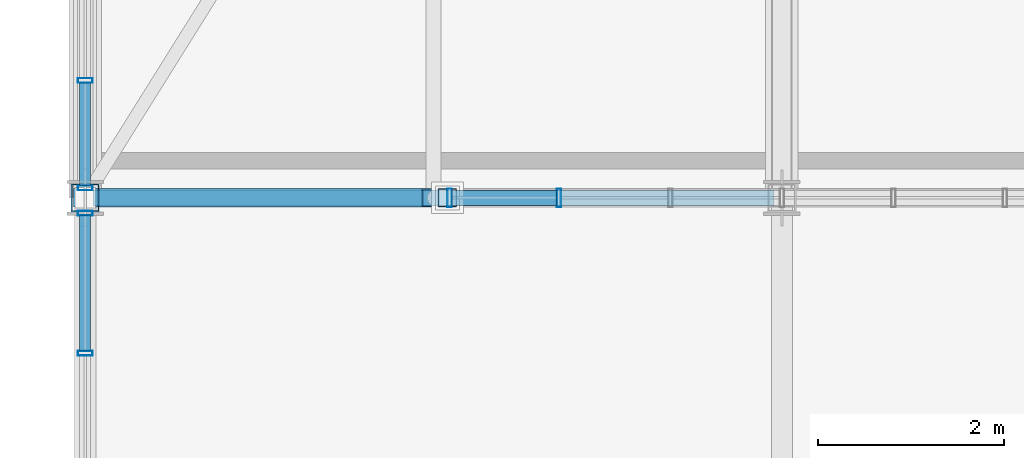
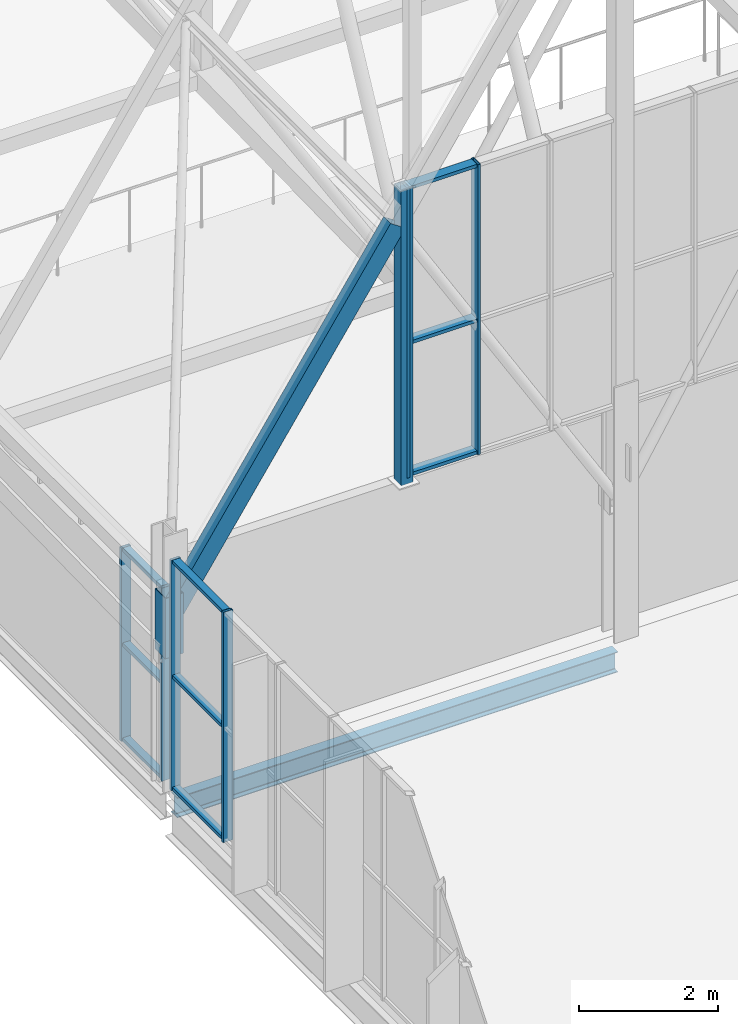
# One storey, part 80 of 324: 18 members, 1 beam, 3 elements without a shape of their own.
"""IFC4 building model written with IfcOpenShell, lengths in metres."""

from ifc_helpers import new_model, si_unit, direction, frame, origin, origin_2d, place, context, subcontext, project, spatial, hollow_rectangle, i_section, extrude, material, layer, layer_set, material_profile, profile_set, type_object, element, aggregate, save


model = new_model("IFC4")

# Units and contexts
model_context = context("Model", 3, precision=1e-05, world=origin(), true_north=direction((0.0, 1.0)))
body_context = subcontext(model_context, "Body", "Model", "MODEL_VIEW")
ifc_project = project(units=[si_unit("LENGTHUNIT", "METRE"), si_unit("AREAUNIT", "SQUARE_METRE"), si_unit("VOLUMEUNIT", "CUBIC_METRE"), si_unit("PLANEANGLEUNIT", "RADIAN"), si_unit("MASSUNIT", "GRAM", prefix="KILO")], contexts=[model_context])

# Site, building, storey
site_placement = place(None, origin())
site = spatial("IfcSite", under=ifc_project, at=site_placement, CompositionType="ELEMENT")
building_placement = place(site_placement, origin())
building = spatial("IfcBuilding", under=site, at=building_placement, Name="Solvenia Promenade Tram Depot", CompositionType="ELEMENT")
storey_placement = place(building_placement, frame((0.0, 0.0, 4.5)))
storey = spatial("IfcBuildingStorey", under=building, at=storey_placement, Name="L01", CompositionType="ELEMENT", Elevation=4.5)

# Curtain wall, members
ifc_material_1 = material(Name="Anodized aluminium AW-6063 T6", Category="aluminium")
ifc_layer_1 = layer(ifc_material_1, 0.159912109375, Name="Anodized aluminium AW-6063 T6", Category="aluminium")
ifc_layer_set_1 = layer_set([ifc_layer_1], Name="Anodized aluminium AW-6063 T6")
curtain_wall_type_1 = type_object("IfcCurtainWallType", Name="CW-Channel-1200", PredefinedType="NOTDEFINED", material=ifc_layer_set_1)
curtain_wall_1_placement = place(storey_placement, origin())
curtain_wall_1 = element("IfcCurtainWall", 1, at=curtain_wall_1_placement, inside=storey, type_object=curtain_wall_type_1, Name="Curtain Wall CW-V1W-01", PredefinedType="NOTDEFINED")
ifc_material_profile_1 = material_profile(ifc_material_1, hollow_rectangle(XDim=0.159912109375, YDim=0.052001953125, WallThickness=0.00390625, at=origin_2d()), Name="ALU-M1", Category="aluminium")
ifc_profile_set_1 = profile_set([ifc_material_profile_1], Name="Anodized aluminium AW-6063 T6")
member_type_1 = type_object("IfcMemberType", Name="CWM-Mullion-1", PredefinedType="MULLION", material=ifc_profile_set_1)
member_1_placement = place(storey_placement, frame((0.0, 66.10595703125, 0.0), z_axis=(0.0, 0.0, 1.0), x_axis=(-1.0, 0.0, 0.0)))
member_1 = element("IfcMember", 2, at=member_1_placement, type_object=member_type_1, Name="CW-1 mullion 1", PredefinedType="MULLION", context=body_context, shape_type="SweptSolid", body=[
    extrude(hollow_rectangle(XDim=0.159912109375, YDim=0.052001953125, WallThickness=0.00390625, at=origin_2d()), origin(), (0.0, 0.0, 1.0), 3.39990234375),
])
member_2_placement = place(storey_placement, frame((0.0, 67.263916015625, 0.0), z_axis=(0.0, 0.0, 1.0), x_axis=(-1.0, 0.0, 0.0)))
member_2 = element("IfcMember", 3, at=member_2_placement, type_object=member_type_1, Name="CW-1 mullion 2", PredefinedType="MULLION", context=body_context, shape_type="SweptSolid", body=[
    extrude(hollow_rectangle(XDim=0.159912109375, YDim=0.052001953125, WallThickness=0.00390625, at=origin_2d()), origin(), (0.0, 0.0, 1.0), 3.39990234375),
])

ifc_layer_2 = layer(ifc_material_1, 0.1201171875, Name="Anodized aluminium AW-6063 T6", Category="aluminium")
ifc_layer_set_2 = layer_set([ifc_layer_2], Name="Anodized aluminium AW-6063 T6")
curtain_wall_type_2 = type_object("IfcCurtainWallType", Name="CW-Wash-1500", PredefinedType="NOTDEFINED", material=ifc_layer_set_2)
curtain_wall_2_placement = place(storey_placement, origin())
curtain_wall_2 = element("IfcCurtainWall", 4, at=curtain_wall_2_placement, inside=storey, type_object=curtain_wall_type_2, Name="Curtain Wall CW-V3-W-L1-3", PredefinedType="NOTDEFINED")
member_3_placement = place(storey_placement, frame((0.0, 64.328857421875, 0.0), z_axis=(0.0, 0.0, 1.0), x_axis=(-1.0, 0.0, 0.0)))
member_3 = element("IfcMember", 5, at=member_3_placement, type_object=member_type_1, Name="CW-10 mullion 9", PredefinedType="MULLION", context=body_context, shape_type="SweptSolid", body=[
    extrude(hollow_rectangle(XDim=0.159912109375, YDim=0.052001953125, WallThickness=0.00390625, at=origin_2d()), origin(), (0.0, 0.0, 1.0), 4.050048828125),
])
member_4_placement = place(storey_placement, frame((0.0, 65.833984375, 0.0), z_axis=(0.0, 0.0, 1.0), x_axis=(-1.0, 0.0, 0.0)))
member_4 = element("IfcMember", 6, at=member_4_placement, type_object=member_type_1, Name="CW-10 mullion 10", PredefinedType="MULLION", context=body_context, shape_type="SweptSolid", body=[
    extrude(hollow_rectangle(XDim=0.159912109375, YDim=0.052001953125, WallThickness=0.00390625, at=origin_2d()), origin(), (0.0, 0.0, 1.0), 4.050048828125),
])

ifc_layer_3 = layer(ifc_material_1, 0.14990234375, Name="Anodized aluminium AW-6063 T6", Category="aluminium")
ifc_layer_set_3 = layer_set([ifc_layer_3], Name="Anodized aluminium AW-6063 T6")
curtain_wall_type_3 = type_object("IfcCurtainWallType", Name="CW-Gable-1200", PredefinedType="NOTDEFINED", material=ifc_layer_set_3)
curtain_wall_3_placement = place(storey_placement, origin())
curtain_wall_3 = element("IfcCurtainWall", 7, at=curtain_wall_3_placement, inside=storey, type_object=curtain_wall_type_3, Name="South Zigzag Gable 01 Peak Glazing", PredefinedType="NOTDEFINED")
ifc_material_profile_2 = material_profile(ifc_material_1, hollow_rectangle(XDim=0.199951171875, YDim=0.048095703125, WallThickness=0.00390625, at=origin_2d()), Name="ALU-M3", Category="aluminium")
ifc_profile_set_2 = profile_set([ifc_material_profile_2], Name="Anodized aluminium AW-6063 T6")
member_type_2 = type_object("IfcMemberType", Name="CWM-Mullion-3", PredefinedType="MULLION", material=ifc_profile_set_2)
member_5_placement = place(storey_placement, frame((3.924072265625, 66.0, 4.050048828125), z_axis=(0.0, 0.0, 1.0), x_axis=(0.0, 1.0, 0.0)))
member_5 = element("IfcMember", 8, at=member_5_placement, type_object=member_type_2, Name="CW-3 mullion 1", PredefinedType="MULLION", context=body_context, shape_type="SweptSolid", body=[
    extrude(hollow_rectangle(XDim=0.199951171875, YDim=0.048095703125, WallThickness=0.00390625, at=origin_2d()), origin(), (0.0, 0.0, 1.0), 5.099853515625),
])
member_6_placement = place(storey_placement, frame((5.10009765625, 66.0, 4.050048828125), z_axis=(0.0, 0.0, 1.0), x_axis=(0.0, 1.0, 0.0)))
member_6 = element("IfcMember", 9, at=member_6_placement, type_object=member_type_2, Name="CW-3 mullion 2", PredefinedType="MULLION", context=body_context, shape_type="SweptSolid", body=[
    extrude(hollow_rectangle(XDim=0.199951171875, YDim=0.048095703125, WallThickness=0.00390625, at=origin_2d()), origin(), (0.0, 0.0, 1.0), 5.099853515625),
])

# Member
ifc_material_profile_3 = material_profile(ifc_material_1, hollow_rectangle(XDim=0.1201171875, YDim=0.06005859375, WallThickness=0.00390625, at=origin_2d()), Name="ALU-T1", Category="aluminium")
ifc_profile_set_3 = profile_set([ifc_material_profile_3], Name="Anodized aluminium AW-6063 T6")
member_type_3 = type_object("IfcMemberType", Name="CWT-Transom-1", PredefinedType="USERDEFINED", material=ifc_profile_set_3)
member_7_placement = place(storey_placement, frame((0.0, 66.132080078125, 0.030029296875), z_axis=(0.0, 1.0, 0.0), x_axis=(-1.0, 0.0, 0.0)))
member_7 = element("IfcMember", 10, at=member_7_placement, type_object=member_type_3, Name="CW-1 transom 1.1", ObjectType="TRANSOM", PredefinedType="USERDEFINED", context=body_context, shape_type="SweptSolid", body=[
    extrude(hollow_rectangle(XDim=0.1201171875, YDim=0.06005859375, WallThickness=0.00390625, at=origin_2d()), origin(), (0.0, 0.0, 1.0), 1.10595703125),
])

member_8_placement = place(storey_placement, frame((0.0, 66.132080078125, 1.699951171875), z_axis=(0.0, 1.0, 0.0), x_axis=(-1.0, 0.0, 0.0)))
member_8 = element("IfcMember", 11, at=member_8_placement, type_object=member_type_3, Name="CW-1 transom 1.2", ObjectType="TRANSOM", PredefinedType="USERDEFINED", context=body_context, shape_type="SweptSolid", body=[
    extrude(hollow_rectangle(XDim=0.1201171875, YDim=0.06005859375, WallThickness=0.00390625, at=origin_2d()), origin(), (0.0, 0.0, 1.0), 1.10595703125),
])

member_9_placement = place(storey_placement, frame((0.0, 66.132080078125, 3.3701171875), z_axis=(0.0, 1.0, 0.0), x_axis=(-1.0, 0.0, 0.0)))
member_9 = element("IfcMember", 12, at=member_9_placement, type_object=member_type_3, Name="CW-1 transom 1.3", ObjectType="TRANSOM", PredefinedType="USERDEFINED", context=body_context, shape_type="SweptSolid", body=[
    extrude(hollow_rectangle(XDim=0.1201171875, YDim=0.06005859375, WallThickness=0.00390625, at=origin_2d()), origin(), (0.0, 0.0, 1.0), 1.10595703125),
])

aggregate(curtain_wall_1, [member_1, member_2, member_7, member_8, member_9])

member_10_placement = place(storey_placement, frame((0.0, 64.35498046875, 0.030029296875), z_axis=(0.0, 1.0, 0.0), x_axis=(-1.0, 0.0, 0.0)))
member_10 = element("IfcMember", 13, at=member_10_placement, type_object=member_type_3, Name="CW-10 transom 9.1", ObjectType="TRANSOM", PredefinedType="USERDEFINED", context=body_context, shape_type="SweptSolid", body=[
    extrude(hollow_rectangle(XDim=0.1201171875, YDim=0.06005859375, WallThickness=0.00390625, at=origin_2d()), origin(), (0.0, 0.0, 1.0), 1.453125),
])

member_11_placement = place(storey_placement, frame((0.0, 64.35498046875, 2.0), z_axis=(0.0, 1.0, 0.0), x_axis=(-1.0, 0.0, 0.0)))
member_11 = element("IfcMember", 14, at=member_11_placement, type_object=member_type_3, Name="CW-10 transom 9.2", ObjectType="TRANSOM", PredefinedType="USERDEFINED", context=body_context, shape_type="SweptSolid", body=[
    extrude(hollow_rectangle(XDim=0.1201171875, YDim=0.06005859375, WallThickness=0.00390625, at=origin_2d()), origin(), (0.0, 0.0, 1.0), 1.453125),
])

member_12_placement = place(storey_placement, frame((0.0, 64.35498046875, 4.02001953125), z_axis=(0.0, 1.0, 0.0), x_axis=(-1.0, 0.0, 0.0)))
member_12 = element("IfcMember", 15, at=member_12_placement, type_object=member_type_3, Name="CW-10 transom 9.3", ObjectType="TRANSOM", PredefinedType="USERDEFINED", context=body_context, shape_type="SweptSolid", body=[
    extrude(hollow_rectangle(XDim=0.1201171875, YDim=0.06005859375, WallThickness=0.00390625, at=origin_2d()), origin(), (0.0, 0.0, 1.0), 1.453125),
])

aggregate(curtain_wall_2, [member_3, member_4, member_10, member_11, member_12])

ifc_material_profile_4 = material_profile(ifc_material_1, hollow_rectangle(XDim=0.159912109375, YDim=0.05810546875, WallThickness=0.00390625, at=origin_2d()), Name="ALU-T3", Category="aluminium")
ifc_profile_set_4 = profile_set([ifc_material_profile_4], Name="Anodized aluminium AW-6063 T6")
member_type_4 = type_object("IfcMemberType", Name="CWT-Transom-3", PredefinedType="USERDEFINED", material=ifc_profile_set_4)
member_13_placement = place(storey_placement, frame((3.947998046875, 66.0, 4.0791015625), z_axis=(1.0, 0.0, 0.0), x_axis=(0.0, 1.0, 0.0)))
member_13 = element("IfcMember", 16, at=member_13_placement, type_object=member_type_4, Name="CW-3 transom 1.1", ObjectType="TRANSOM", PredefinedType="USERDEFINED", context=body_context, shape_type="SweptSolid", body=[
    extrude(hollow_rectangle(XDim=0.159912109375, YDim=0.05810546875, WallThickness=0.00390625, at=origin_2d()), origin(), (0.0, 0.0, 1.0), 1.1279296875),
])

member_14_placement = place(storey_placement, frame((3.947998046875, 66.0, 6.39990234375), z_axis=(1.0, 0.0, 0.0), x_axis=(0.0, 1.0, 0.0)))
member_14 = element("IfcMember", 17, at=member_14_placement, type_object=member_type_4, Name="CW-3 transom 1.2", ObjectType="TRANSOM", PredefinedType="USERDEFINED", context=body_context, shape_type="SweptSolid", body=[
    extrude(hollow_rectangle(XDim=0.159912109375, YDim=0.05810546875, WallThickness=0.00390625, at=origin_2d()), origin(), (0.0, 0.0, 1.0), 1.1279296875),
])

member_15_placement = place(storey_placement, frame((3.947998046875, 66.0, 9.12109375), z_axis=(1.0, 0.0, 0.0), x_axis=(0.0, 1.0, 0.0)))
member_15 = element("IfcMember", 18, at=member_15_placement, type_object=member_type_4, Name="CW-3 transom 1.3", ObjectType="TRANSOM", PredefinedType="USERDEFINED", context=body_context, shape_type="SweptSolid", body=[
    extrude(hollow_rectangle(XDim=0.159912109375, YDim=0.05810546875, WallThickness=0.00390625, at=origin_2d()), origin(), (0.0, 0.0, 1.0), 1.1279296875),
])

aggregate(curtain_wall_3, [member_5, member_6, member_13, member_14, member_15])

# Members
ifc_material_2 = material(Name="Structural steel ASTM A500 Gr. C", Category="steel")
ifc_material_profile_5 = material_profile(ifc_material_2, hollow_rectangle(XDim=0.199951171875, YDim=0.300048828125, WallThickness=0.012451171875, at=origin_2d()), Name="HSS300x200x12.5", Category="steel")
ifc_profile_set_5 = profile_set([ifc_material_profile_5], Name="Structural steel ASTM A500 Gr. C")
member_type_5 = type_object("IfcMemberType", Name="Chord-HSS300x200x12", PredefinedType="CHORD", material=ifc_profile_set_5)
member_16_placement = place(storey_placement, frame((0.0, 66.0, 2.95703125), z_axis=(0.557276274528, 0.0, 0.830327136644), x_axis=(0.0, 1.0, 0.0)))
element("IfcMember", 19, at=member_16_placement, inside=storey, type_object=member_type_5, Name="Zigzag Gable 01 West Lower Rafter", PredefinedType="CHORD", context=body_context, shape_type="SweptSolid", body=[
    extrude(hollow_rectangle(XDim=0.199951171875, YDim=0.300048828125, WallThickness=0.012451171875, at=origin_2d()), origin(), (0.0, 0.0, 1.0), 6.729248046875),
])
ifc_material_profile_6 = material_profile(ifc_material_2, hollow_rectangle(XDim=0.300048828125, YDim=0.300048828125, WallThickness=0.012451171875, at=origin_2d()), Name="HSS300x300x12.5", Category="steel")
ifc_profile_set_6 = profile_set([ifc_material_profile_6], Name="Structural steel ASTM A500 Gr. C")
member_type_6 = type_object("IfcMemberType", Name="Chord-HSS300x300x12", PredefinedType="CHORD", material=ifc_profile_set_6)
member_17_placement = place(storey_placement, frame((0.0, 66.0, 2.320068359375), z_axis=(0.0, 0.0, 1.0), x_axis=(1.0, 0.0, 0.0)))
element("IfcMember", 20, at=member_17_placement, inside=storey, type_object=member_type_6, Name="Arched Truss T01 S End Post", PredefinedType="CHORD", context=body_context, shape_type="SweptSolid", body=[
    extrude(hollow_rectangle(XDim=0.300048828125, YDim=0.300048828125, WallThickness=0.012451171875, at=origin_2d()), origin(), (0.0, 0.0, 1.0), 1.059814453125),
])
ifc_material_profile_7 = material_profile(ifc_material_2, hollow_rectangle(XDim=0.199951171875, YDim=0.199951171875, WallThickness=0.010009765625, at=origin_2d()), Name="HSS200x200x10", Category="steel")
ifc_profile_set_7 = profile_set([ifc_material_profile_7], Name="Structural steel ASTM A500 Gr. C")
member_type_7 = type_object("IfcMemberType", Name="Post-HSS200x200x10", PredefinedType="POST", material=ifc_profile_set_7)
member_18_placement = place(storey_placement, frame((3.89990234375, 66.0, 3.949951171875), z_axis=(0.0, 0.0, 1.0), x_axis=(1.0, 0.0, 0.0)))
element("IfcMember", 21, at=member_18_placement, inside=storey, type_object=member_type_7, Name="Gable Curtain-Wall Steel Jamb Post 003", PredefinedType="POST", context=body_context, shape_type="SweptSolid", body=[
    extrude(hollow_rectangle(XDim=0.199951171875, YDim=0.199951171875, WallThickness=0.010009765625, at=origin_2d()), origin(), (0.0, 0.0, 1.0), 5.199951171875),
])

# Beam
ifc_material_3 = material(Name="Structural steel ASTM A992 Gr. 50", Category="steel")
ifc_material_profile_8 = material_profile(ifc_material_3, i_section(OverallWidth=0.172119140625, OverallDepth=0.35791015625, WebThickness=0.0078125, FlangeThickness=0.01318359375, FilletRadius=0.010986328125, at=origin_2d()), Name="W360x57", Category="steel")
ifc_profile_set_8 = profile_set([ifc_material_profile_8], Name="Structural steel ASTM A992 Gr. 50")
beam_type = type_object("IfcBeamType", Name="Spandrel-W360x57", PredefinedType="SPANDREL", material=ifc_profile_set_8)
beam_placement = place(storey_placement, frame((0.0849609375, 66.0, -0.4189453125), z_axis=(1.0, 0.0, 0.0), x_axis=(0.0, 1.0, 0.0)))
element("IfcBeam", 22, at=beam_placement, inside=storey, type_object=beam_type, Name="Perimeter Spandrel BM-L01-0001", PredefinedType="SPANDREL", context=body_context, shape_type="SweptSolid", body=[
    extrude(i_section(OverallWidth=0.172119140625, OverallDepth=0.35791015625, WebThickness=0.0078125, FlangeThickness=0.01318359375, FilletRadius=0.010986328125, at=origin_2d()), origin(), (0.0, 0.0, 1.0), 7.330078125),
])

save(model, "model.ifc")
